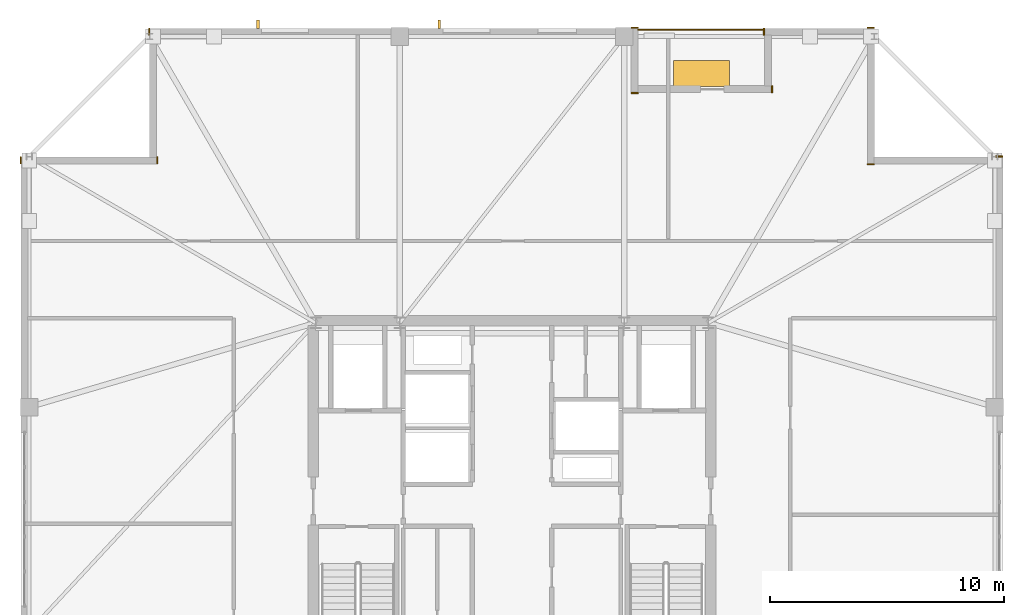
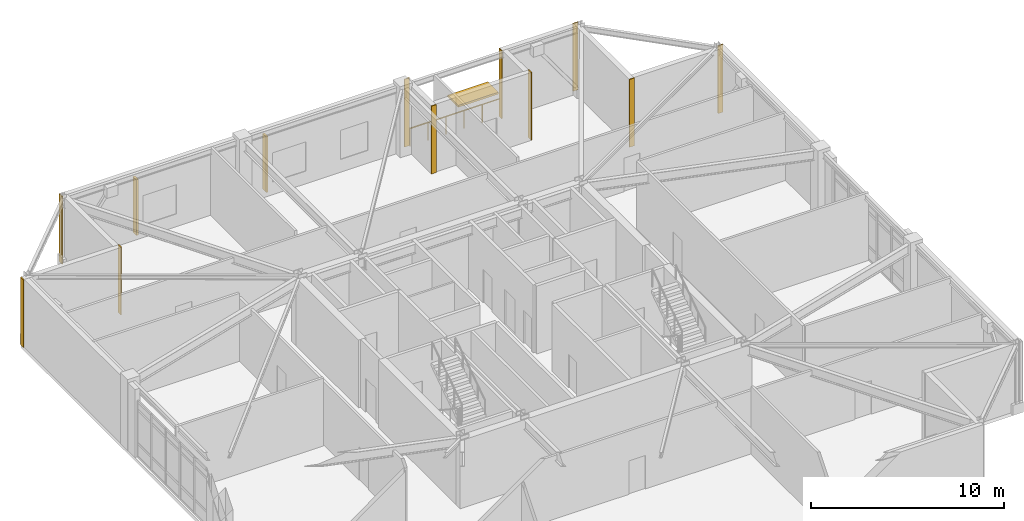
# One storey, part 16 of 16: 10 coverings, 3 shading devices, 1 railing.
"""IFC4 building model written with IfcOpenShell, lengths in metres."""

from ifc_helpers import new_model, si_unit, direction, frame, frame_2d, origin, origin_2d, place, context, subcontext, project, spatial, rectangle, circle, extrude, material, layer, layer_set, type_object, element, save


model = new_model("IFC4")

# Units and contexts
model_context = context("Model", 3, precision=1e-05, world=origin(), true_north=direction((0.0, 1.0)))
body_context = subcontext(model_context, "Body", "Model", "MODEL_VIEW")
ifc_project = project(units=[si_unit("LENGTHUNIT", "METRE"), si_unit("AREAUNIT", "SQUARE_METRE"), si_unit("VOLUMEUNIT", "CUBIC_METRE"), si_unit("PLANEANGLEUNIT", "RADIAN"), si_unit("MASSUNIT", "GRAM", prefix="KILO")], contexts=[model_context])

# Site, building, storey
site_placement = place(None, origin())
site = spatial("IfcSite", under=ifc_project, at=site_placement, CompositionType="ELEMENT")
building_placement = place(site_placement, origin())
building = spatial("IfcBuilding", under=site, at=building_placement, Name="Cairnveth Concourse Tower", CompositionType="ELEMENT")
storey_placement = place(building_placement, frame((0.0, 0.0, 315.5)))
storey = spatial("IfcBuildingStorey", under=building, at=storey_placement, Name="L87", CompositionType="ELEMENT", Elevation=315.5)

# Coverings
ifc_material_1 = material(Name="Dressed Melbourne Bluestone Cladding", Category="masonry")
ifc_layer = layer(ifc_material_1, 0.050048828125)
ifc_layer_set = layer_set([ifc_layer], Name="Dressed Melbourne Bluestone Cladding")
covering_type = type_object("IfcCoveringType", Name="DRESSED BLUESTONE PLINTH CLADDING 50", PredefinedType="CLADDING", material=ifc_layer_set)
for number, where, z_axis, x_axis, name in (
    (1, (62.780029296875, 59.699951171875, 0.0), (0.0, 0.0, 1.0), (0.0, 1.0, 0.0), "Melbourne Bluestone Corner Quoin L87-1323"),
    (2, (67.199951171875, 60.02001953125, 0.0), (0.0, 0.0, 1.0), (1.0, 0.0, 0.0), "Melbourne Bluestone Corner Quoin L87-1324"),
    (3, (67.199951171875, 54.179931640625, 0.0), (0.0, 0.0, 1.0), (1.0, 0.0, 0.0), "Melbourne Bluestone Corner Quoin L87-1325"),
    (4, (72.699951171875, 54.52001953125, 0.0), (0.0, 0.0, 1.0), (1.0, 0.0, 0.0), "Melbourne Bluestone Corner Quoin L87-1326"),
    (5, (30.97998046875, 54.199951171875, 0.0), (0.0, 0.0, 1.0), (0.0, 1.0, 0.0), "Melbourne Bluestone Corner Quoin L87-1333"),
    (6, (36.820068359375, 54.199951171875, 0.0), (0.0, 0.0, 1.0), (0.0, 1.0, 0.0), "Melbourne Bluestone Corner Quoin L87-1334"),
    (7, (36.47998046875, 59.699951171875, 0.0), (0.0, 0.0, 1.0), (0.0, 1.0, 0.0), "Melbourne Bluestone Corner Quoin L87-1335"),
):
    element("IfcCovering", number, at=place(storey_placement, frame(where, z_axis=z_axis, x_axis=x_axis)), inside=storey, type_object=covering_type, Name=name, PredefinedType="CLADDING", context=body_context, shape_type="SweptSolid", body=[
        extrude(rectangle(XDim=0.300048828125, YDim=0.050048828125, at=frame_2d((0.14990234375, 0.0))), origin(), (0.0, 0.0, 1.0), 4.2900390625),
    ])
for number, where, z_axis, x_axis, name in (
    (8, (57.10009765625, 60.02001953125, 0.0), (0.0, 0.0, 1.0), (1.0, 0.0, 0.0), "Melbourne Bluestone Corner Quoin L87-1336"),
    (9, (57.10009765625, 57.22998046875, 0.0), (0.0, 0.0, 1.0), (1.0, 0.0, 0.0), "Melbourne Bluestone Corner Quoin L87-1337"),
):
    element("IfcCovering", number, at=place(storey_placement, frame(where, z_axis=z_axis, x_axis=x_axis)), inside=storey, type_object=covering_type, Name=name, PredefinedType="CLADDING", context=body_context, shape_type="SweptSolid", body=[
        extrude(rectangle(XDim=0.2998046875, YDim=0.050048828125, at=frame_2d((0.14990234375, 0.0))), origin(), (0.0, 0.0, 1.0), 4.2900390625),
    ])
covering_placement = place(storey_placement, frame((63.1201171875, 57.25, 0.0), z_axis=(0.0, 0.0, 1.0), x_axis=(0.0, 1.0, 0.0)))
element("IfcCovering", 10, at=covering_placement, inside=storey, type_object=covering_type, Name="Melbourne Bluestone Corner Quoin L87-1338", PredefinedType="CLADDING", context=body_context, shape_type="SweptSolid", body=[
    extrude(rectangle(XDim=0.300048828125, YDim=0.050048828125, at=frame_2d((0.14990234375, 0.0))), origin(), (0.0, 0.0, 1.0), 4.2900390625),
])

# Shading devices
ifc_material_2 = material(Name="Architectural Bronze Anodised Aluminium 6063-T6", Category="aluminium")
shading_device_type_1 = type_object("IfcShadingDeviceType", Name="GOTHIC BRONZE VERTICAL LANCET FIN", PredefinedType="USERDEFINED", material=ifc_material_2)
for number, where, z_axis, x_axis, name in (
    (11, (41.13037109375, 60.175048828125, 0.030029296875), (0.0, 0.0, 1.0), (1.0, 0.0, 0.0), "Gothic Bronze Vertical Fin L87-12-1"),
    (12, (48.89111328125, 60.175048828125, 0.030029296875), (0.0, 0.0, 1.0), (1.0, 0.0, 0.0), "Gothic Bronze Vertical Fin L87-12-3"),
):
    element("IfcShadingDevice", number, at=place(storey_placement, frame(where, z_axis=z_axis, x_axis=x_axis)), inside=storey, type_object=shading_device_type_1, Name=name, ObjectType="VERTICAL FIN", PredefinedType="USERDEFINED", context=body_context, shape_type="SweptSolid", body=[
        extrude(rectangle(XDim=0.1201171875, YDim=0.360107421875, at=origin_2d()), origin(), (0.0, 0.0, 1.0), 3.51806640625),
    ])
shading_device_type_2 = type_object("IfcShadingDeviceType", Name="SPIRAL TERRACE SUNSHADE CANOPY", PredefinedType="USERDEFINED", material=ifc_material_2)
shading_device_placement = place(storey_placement, frame((60.10009765625, 58.070068359375, 3.39794921875), z_axis=(0.0, 0.0, 1.0), x_axis=(1.0, 0.0, 0.0)))
element("IfcShadingDevice", 13, at=shading_device_placement, inside=storey, type_object=shading_device_type_2, Name="Spiral Terrace Sunshade L87", ObjectType="TERRACE SUNSHADE", PredefinedType="USERDEFINED", context=body_context, shape_type="SweptSolid", body=[
    extrude(rectangle(XDim=2.39990234375, YDim=1.10009765625, at=origin_2d()), origin(), (0.0, 0.0, 1.0), 0.1201171875),
])

# Railing
railing_type = type_object("IfcRailingType", Name="TERRACE BRONZE BALUSTRADE 1150", PredefinedType="BALUSTRADE", material=ifc_material_2)
railing_placement = place(storey_placement, frame((57.39990234375, 59.93994140625, 0.0)))
element("IfcRailing", 14, at=railing_placement, inside=storey, type_object=railing_type, Name="Terrace Balustrade RL-L87-TERR", PredefinedType="BALUSTRADE", context=body_context, shape_type="SweptSolid", body=[
    extrude(circle(Radius=0.02490234375, at=origin_2d()), frame((0.0, 0.0, 1.125), z_axis=(1.0, 0.0, 0.0), x_axis=(0.0, 1.0, 0.0)), (0.0, 0.0, 1.0), 5.400146484375),
    extrude(circle(Radius=0.02099609375, at=origin_2d()), origin(), (0.0, 0.0, 1.0), 1.099853515625),
    extrude(circle(Radius=0.02099609375, at=origin_2d()), frame((1.080078125, 0.0, 0.0)), (0.0, 0.0, 1.0), 1.099853515625),
    extrude(circle(Radius=0.02099609375, at=origin_2d()), frame((2.16015625, 0.0, 0.0)), (0.0, 0.0, 1.0), 1.099853515625),
    extrude(circle(Radius=0.02099609375, at=origin_2d()), frame((3.239990234375, 0.0, 0.0)), (0.0, 0.0, 1.0), 1.099853515625),
    extrude(circle(Radius=0.02099609375, at=origin_2d()), frame((4.320068359375, 0.0, 0.0)), (0.0, 0.0, 1.0), 1.099853515625),
    extrude(circle(Radius=0.02099609375, at=origin_2d()), frame((5.400146484375, 0.0, 0.0)), (0.0, 0.0, 1.0), 1.099853515625),
])

save(model, "model.ifc")
